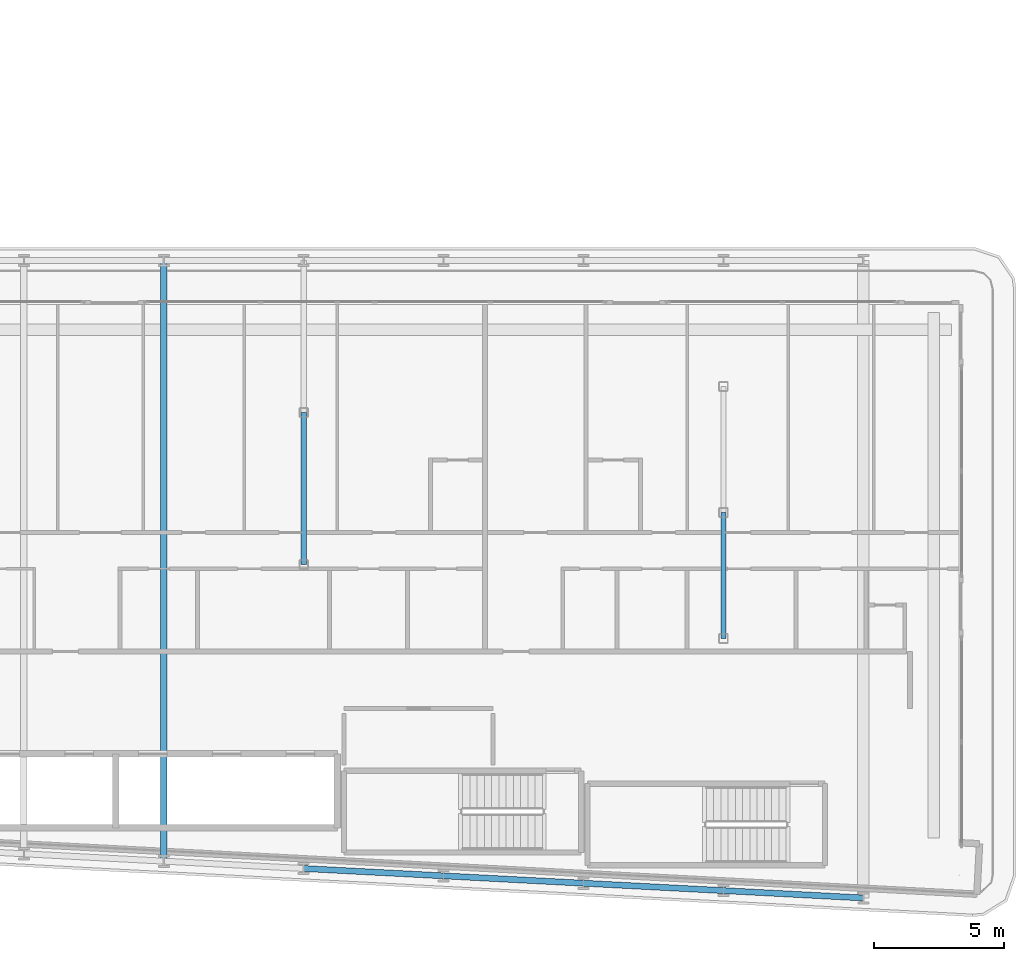
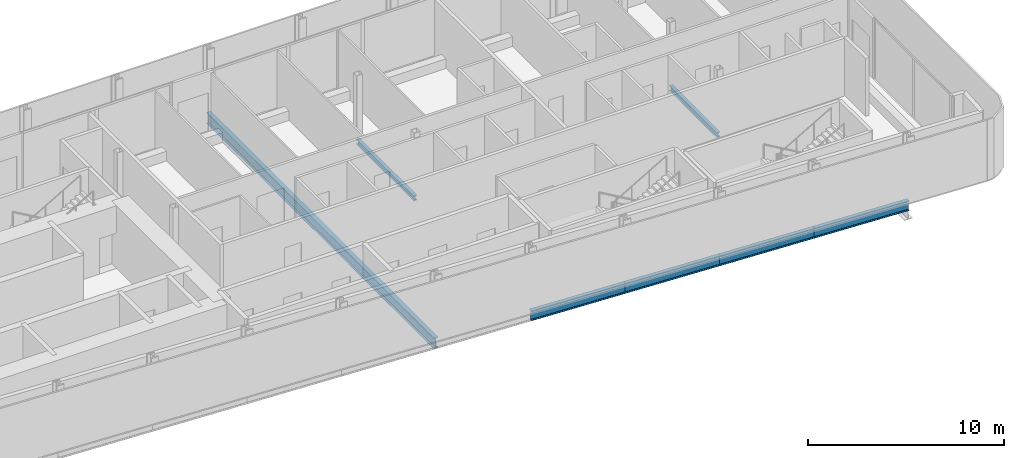
# One storey, part 5 of 27: 7 beams.
"""IFC4 building model written with IfcOpenShell, lengths in metres."""

import ifcopenshell
import ifcopenshell.guid

model = None  # the IFC model being written
_history = None  # IfcOwnerHistory: only IFC2X3 demands one
_inside = {}  # id of a spatial element -> (the spatial element, [elements in it])
_under = {}  # id of a project, library or spatial element -> (it, [spatial elements below it])
_declared = {}  # id of a project -> (the project, [libraries it declares])
_typed = {}  # id of a type object -> (the type object, [elements of that type])
_made_of = {}  # id of a material, layer set ... -> (it, [elements and type objects made of it])


def new_model(schema):
    """Start an empty IFC model of exactly this schema.

    Asked for "IFC4X3", IfcOpenShell would pick the latest addendum, in which some entities
    have other attributes; the version numbers below select the first issue.
    IFC2X3 requires an IfcOwnerHistory on every rooted entity: one is made here for all.
    """
    global model, _history
    if schema == "IFC4X3":
        model = ifcopenshell.file(schema_version=(4, 3, 0, 0))
    else:
        model = ifcopenshell.file(schema=schema)
    _inside.clear()
    _under.clear()
    _declared.clear()
    _typed.clear()
    _made_of.clear()
    _history = None
    if model.schema == "IFC2X3":
        org = make("IfcOrganization", Name="unknown")
        user = make(
            "IfcPersonAndOrganization",
            ThePerson=make("IfcPerson", FamilyName="unknown"),
            TheOrganization=org,
        )
        app = make(
            "IfcApplication",
            ApplicationDeveloper=org,
            Version="unknown",
            ApplicationFullName="unknown",
            ApplicationIdentifier="unknown",
        )
        _history = make(
            "IfcOwnerHistory",
            OwningUser=user,
            OwningApplication=app,
            ChangeAction="ADDED",
            CreationDate=0,
        )
    return model


def make(cls, **values):
    """One entity of the class cls with the attributes given. An attribute that is None is left unset."""
    return model.create_entity(
        cls, **{name: value for name, value in values.items() if value is not None}
    )


def rooted(cls, **values):
    """An entity with a GlobalId (a new one), such as an element, a storey or a relation."""
    return make(cls, GlobalId=ifcopenshell.guid.new(), OwnerHistory=_history, **values)


def si_unit(unit_type, name, prefix=None):
    """IfcSIUnit, for example si_unit("LENGTHUNIT", "METRE", prefix="MILLI")."""
    return make("IfcSIUnit", UnitType=unit_type, Prefix=prefix, Name=name)


def assignment(units):
    """IfcUnitAssignment: the units of a project."""
    return None if units is None else make("IfcUnitAssignment", Units=units)


def point(xyz):
    """IfcCartesianPoint."""
    return None if xyz is None else make("IfcCartesianPoint", Coordinates=xyz)


def direction(xyz):
    """IfcDirection."""
    return None if xyz is None else make("IfcDirection", DirectionRatios=xyz)


def frame(location, z_axis=None, x_axis=None):
    """IfcAxis2Placement3D, a coordinate frame: its origin and axes. An axis left out is left unset."""
    return make(
        "IfcAxis2Placement3D",
        Location=point(location),
        Axis=direction(z_axis),
        RefDirection=direction(x_axis),
    )


def frame_2d(location, x_axis=None):
    """IfcAxis2Placement2D, a coordinate frame in the plane: its origin and x axis."""
    return make(
        "IfcAxis2Placement2D", Location=point(location), RefDirection=direction(x_axis)
    )


def origin():
    """The frame at (0, 0, 0) with its axes left unset."""
    return frame((0.0, 0.0, 0.0))


def origin_2d():
    """The frame at (0, 0) in the plane with its x axis left unset."""
    return frame_2d((0.0, 0.0))


def place(relative_to, where):
    """IfcLocalPlacement: puts the frame where relative to a parent placement (None: the world)."""
    return make(
        "IfcLocalPlacement", PlacementRelTo=relative_to, RelativePlacement=where
    )


def context(
    kind, dimensions, precision=None, world=None, true_north=None, identifier=None
):
    """IfcGeometricRepresentationContext, for example the 3D "Model" context."""
    return make(
        "IfcGeometricRepresentationContext",
        ContextIdentifier=identifier,
        ContextType=kind,
        CoordinateSpaceDimension=dimensions,
        Precision=precision,
        WorldCoordinateSystem=world,
        TrueNorth=true_north,
    )


def subcontext(parent, identifier, kind, view, scale=None):
    """IfcGeometricRepresentationSubContext, for example "Body" below "Model"."""
    return make(
        "IfcGeometricRepresentationSubContext",
        ContextIdentifier=identifier,
        ContextType=kind,
        ParentContext=parent,
        TargetScale=scale,
        TargetView=view,
    )


def project(units=None, contexts=None):
    """IfcProject with its units and contexts."""
    return rooted(
        "IfcProject",
        Name="project",
        RepresentationContexts=contexts,
        UnitsInContext=assignment(units),
    )


def spatial(cls, under=None, at=None, **own):
    """A site, building, storey or space (cls), placed at a placement, below another one or the project."""
    s = rooted(cls, ObjectPlacement=at, **own)
    if under is not None:
        _under.setdefault(under.id(), (under, []))[1].append(s)
    return s


def profile(cls, at=None, kind="AREA", **sizes):
    """A parametric profile (cls). Its sizes go by their IFC names, for example OverallWidth=200.0."""
    return make(cls, ProfileType=kind, Position=at, **sizes)


def i_section(**sizes):
    """IfcIShapeProfileDef."""
    return profile("IfcIShapeProfileDef", **sizes)


def extrude(swept, where, along, depth):
    """IfcExtrudedAreaSolid: the profile swept, set in the frame where, extruded along a direction by depth."""
    return make(
        "IfcExtrudedAreaSolid",
        SweptArea=swept,
        Position=where,
        ExtrudedDirection=direction(along),
        Depth=depth,
    )


def shape(context_of_items, identifier, shape_type, items):
    """IfcShapeRepresentation: the items that make up one representation, for example the "Body"."""
    return make(
        "IfcShapeRepresentation",
        ContextOfItems=context_of_items,
        RepresentationIdentifier=identifier,
        RepresentationType=shape_type,
        Items=items,
    )


def material(Name=None, Category=None):
    """IfcMaterial."""
    return make("IfcMaterial", Name=Name, Category=Category)


def material_profile(
    of_material, cross_section, Name=None, Category=None, Priority=None
):
    """IfcMaterialProfile: a cross section and its material."""
    return make(
        "IfcMaterialProfile",
        Name=Name,
        Material=of_material,
        Profile=cross_section,
        Priority=Priority,
        Category=Category,
    )


def profile_set(profiles, Name=None, composite=None):
    """IfcMaterialProfileSet."""
    return make(
        "IfcMaterialProfileSet",
        Name=Name,
        MaterialProfiles=profiles,
        CompositeProfile=composite,
    )


def made_of(thing, what):
    """Note that an element or type object is made of a material, layer set ...; save() writes the relation."""
    if what is not None:
        _made_of.setdefault(what.id(), (what, []))[1].append(thing)
    return thing


def type_object(cls, material=None, **own):
    """A type object (cls), such as IfcWallType, which elements share."""
    return made_of(rooted(cls, **own), material)


def element(
    cls,
    number,
    at=None,
    inside=None,
    cuts=None,
    type_object=None,
    material=None,
    context=None,
    identifier="Body",
    shape_type=None,
    held_by="IfcProductDefinitionShape",
    body=None,
    shapes=None,
    **own,
):
    """One element of the class cls, such as IfcWall. Its Tag is "e" and its number.

    at: its placement. inside: the storey or other place that contains it. cuts: it is an
    opening in that element (IfcRelVoidsElement). A single representation is given by context,
    identifier, shape_type and body (its items); several are given by shapes. held_by: the class
    of the entity that holds the representations. save() writes the other relations.
    """
    e = rooted(cls, Tag="e%d" % number, ObjectPlacement=at, **own)
    if body is not None:
        shapes = [shape(context, identifier, shape_type, body)]
    if shapes is not None:
        e.Representation = make(held_by, Representations=shapes)
    if inside is not None:
        _inside.setdefault(inside.id(), (inside, []))[1].append(e)
    if cuts is not None:
        rooted(
            "IfcRelVoidsElement", RelatingBuildingElement=cuts, RelatedOpeningElement=e
        )
    if type_object is not None:
        _typed.setdefault(type_object.id(), (type_object, []))[1].append(e)
    return made_of(e, material)


def aggregate(whole, parts):
    """IfcRelAggregates: a whole, such as a stair, and the parts it consists of."""
    return rooted("IfcRelAggregates", RelatingObject=whole, RelatedObjects=parts)


def save(model, path):
    """Write the relations noted so far, then the file.

    IfcRelAggregates (storeys below a building ...), IfcRelContainedInSpatialStructure (elements
    in a storey), IfcRelDefinesByType, IfcRelAssociatesMaterial and IfcRelDeclares: one each for
    every whole, place, type object, material and project.
    """
    for whole, parts in _under.values():
        aggregate(whole, parts)
    for where, things in _inside.values():
        rooted(
            "IfcRelContainedInSpatialStructure",
            RelatedElements=things,
            RelatingStructure=where,
        )
    for kind, things in _typed.values():
        rooted("IfcRelDefinesByType", RelatedObjects=things, RelatingType=kind)
    for what, things in _made_of.values():
        rooted("IfcRelAssociatesMaterial", RelatedObjects=things, RelatingMaterial=what)
    for by, libraries in _declared.values():
        rooted("IfcRelDeclares", RelatingContext=by, RelatedDefinitions=libraries)
    model.write(path)


model = new_model("IFC4")

# Units and contexts
model_context = context("Model", 3, precision=1e-05, world=origin(), true_north=direction((0.0, 1.0)))
body_context = subcontext(model_context, "Body", "Model", "MODEL_VIEW")
ifc_project = project(units=[si_unit("LENGTHUNIT", "METRE"), si_unit("AREAUNIT", "SQUARE_METRE"), si_unit("VOLUMEUNIT", "CUBIC_METRE"), si_unit("PLANEANGLEUNIT", "RADIAN"), si_unit("MASSUNIT", "GRAM", prefix="KILO")], contexts=[model_context])

# Site, building, storey
site_placement = place(None, origin())
site = spatial("IfcSite", under=ifc_project, at=site_placement, CompositionType="ELEMENT")
building_placement = place(site_placement, origin())
building = spatial("IfcBuilding", under=site, at=building_placement, Name="Kheshtan School and Residences Tower", CompositionType="ELEMENT")
storey_placement = place(building_placement, frame((0.0, 0.0, 50.0)))
storey = spatial("IfcBuildingStorey", under=building, at=storey_placement, Name="L11", CompositionType="ELEMENT", Elevation=50.0)

# Beams
ifc_material = material(Name="Steel ASTM A992 Grade 50", Category="steel")
ifc_material_profile_1 = material_profile(ifc_material, i_section(OverallWidth=0.202880859375, OverallDepth=0.302978515625, WebThickness=0.007568359375, FlangeThickness=0.01318359375, FilletRadius=0.009033203125, at=origin_2d()), Name="W310x60")
ifc_profile_set_1 = profile_set([ifc_material_profile_1], Name="Steel ASTM A992 Grade 50")
beam_type_1 = type_object("IfcBeamType", Name="Beam FB1 W310x60 ASTM A992 Grade 50", PredefinedType="BEAM", material=ifc_profile_set_1)
beam_1_placement = place(storey_placement, frame((85.39990234375, 31.0048828125, -0.301513671875), z_axis=(0.0, 1.0, 0.0), x_axis=(-1.0, 0.0, 0.0)))
element("IfcBeam", 1, at=beam_1_placement, inside=storey, type_object=beam_type_1, Name="Floor beam IC", PredefinedType="BEAM", context=body_context, shape_type="SweptSolid", body=[
    extrude(i_section(OverallWidth=0.202880859375, OverallDepth=0.302978515625, WebThickness=0.007568359375, FlangeThickness=0.01318359375, FilletRadius=0.009033203125, at=origin_2d()), origin(), (0.0, 0.0, 1.0), 4.865234375),
])
beam_2_placement = place(storey_placement, frame((69.199951171875, 33.863037109375, -0.301513671875), z_axis=(0.0, 1.0, 0.0), x_axis=(-1.0, 0.0, 0.0)))
element("IfcBeam", 2, at=beam_2_placement, inside=storey, type_object=beam_type_1, Name="Floor beam IC", PredefinedType="BEAM", context=body_context, shape_type="SweptSolid", body=[
    extrude(i_section(OverallWidth=0.202880859375, OverallDepth=0.302978515625, WebThickness=0.007568359375, FlangeThickness=0.01318359375, FilletRadius=0.009033203125, at=origin_2d()), origin(), (0.0, 0.0, 1.0), 5.868896484375),
])
ifc_material_profile_2 = material_profile(ifc_material, i_section(OverallWidth=0.2529296875, OverallDepth=0.677978515625, WebThickness=0.01171875, FlangeThickness=0.016357421875, FilletRadius=0.0146484375, at=origin_2d()), Name="W690x125")
ifc_profile_set_2 = profile_set([ifc_material_profile_2], Name="Steel ASTM A992 Grade 50")
beam_type_2 = type_object("IfcBeamType", Name="Beam FB6 W690x125 ASTM A992 Grade 50", PredefinedType="BEAM", material=ifc_profile_set_2)
beam_3_placement = place(storey_placement, frame((63.800048828125, 22.410888671875, -0.489013671875), z_axis=(0.0, 1.0, 0.0), x_axis=(-1.0, 0.0, 0.0)))
element("IfcBeam", 3, at=beam_3_placement, inside=storey, type_object=beam_type_2, Name="Floor beam C016", PredefinedType="BEAM", context=body_context, shape_type="SweptSolid", body=[
    extrude(i_section(OverallWidth=0.2529296875, OverallDepth=0.677978515625, WebThickness=0.01171875, FlangeThickness=0.016357421875, FilletRadius=0.0146484375, at=origin_2d()), origin(), (0.0, 0.0, 1.0), 23.189208984375),
])
ifc_material_profile_3 = material_profile(ifc_material, i_section(OverallWidth=0.22998046875, OverallDepth=0.616943359375, WebThickness=0.01318359375, FlangeThickness=0.022216796875, FilletRadius=0.0185546875, at=origin_2d()), Name="W610x140")
ifc_profile_set_3 = profile_set([ifc_material_profile_3], Name="Steel ASTM A992 Grade 50")
beam_type_3 = type_object("IfcBeamType", Name="Beam SP1 W610x140 ASTM A992 Grade 50", PredefinedType="BEAM", material=ifc_profile_set_3)
beam_4_placement = place(storey_placement, frame((90.800048828125, 20.989990234375, -0.45849609375), z_axis=(-0.998620571751, 0.05250670125, 0.0), x_axis=(-0.05250670125, -0.998620571751, 0.0)))
element("IfcBeam", 4, at=beam_4_placement, inside=storey, type_object=beam_type_3, Name="Spandrel beam C006-C008", PredefinedType="BEAM", context=body_context, shape_type="SweptSolid", body=[
    extrude(i_section(OverallWidth=0.22998046875, OverallDepth=0.616943359375, WebThickness=0.01318359375, FlangeThickness=0.022216796875, FilletRadius=0.0185546875, at=origin_2d()), origin(), (0.0, 0.0, 1.0), 5.40771484375),
])
for number, where, z_axis, x_axis, name in (
    (5, (85.39990234375, 21.27392578125, -0.45849609375), (-0.998618078766, 0.052554093665, 0.0), (-0.052554093665, -0.998618078766, 0.0), "Spandrel beam C008-C012"),
    (6, (80.0, 21.55810546875, -0.45849609375), (-0.998610961136, 0.052689166816, 0.0), (-0.052689166816, -0.998610961136, 0.0), "Spandrel beam C012-C013"),
):
    element("IfcBeam", number, at=place(storey_placement, frame(where, z_axis=z_axis, x_axis=x_axis)), inside=storey, type_object=beam_type_3, Name=name, PredefinedType="BEAM", context=body_context, shape_type="SweptSolid", body=[
        extrude(i_section(OverallWidth=0.22998046875, OverallDepth=0.616943359375, WebThickness=0.01318359375, FlangeThickness=0.022216796875, FilletRadius=0.0185546875, at=origin_2d()), origin(), (0.0, 0.0, 1.0), 5.407470703125),
    ])
beam_5_placement = place(storey_placement, frame((74.60009765625, 21.843017578125, -0.45849609375), z_axis=(-0.998620571751, 0.05250670125, 0.0), x_axis=(-0.05250670125, -0.998620571751, 0.0)))
element("IfcBeam", 7, at=beam_5_placement, inside=storey, type_object=beam_type_3, Name="Spandrel beam C013-C014", PredefinedType="BEAM", context=body_context, shape_type="SweptSolid", body=[
    extrude(i_section(OverallWidth=0.22998046875, OverallDepth=0.616943359375, WebThickness=0.01318359375, FlangeThickness=0.022216796875, FilletRadius=0.0185546875, at=origin_2d()), origin(), (0.0, 0.0, 1.0), 5.40771484375),
])

save(model, "model.ifc")
